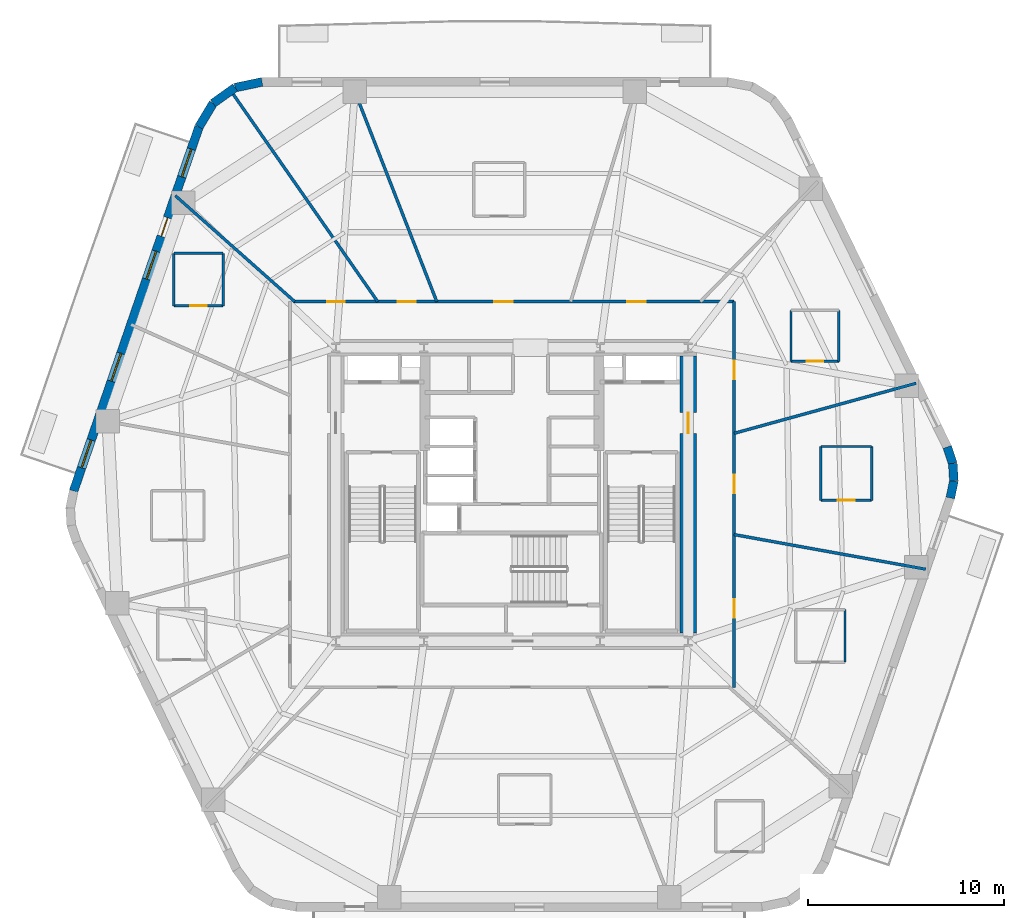
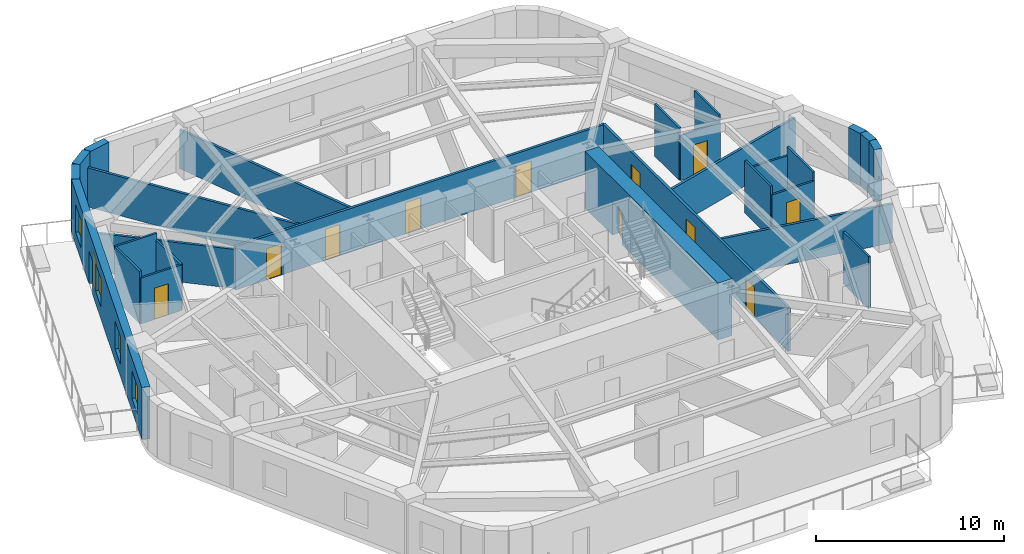
# One storey, part 5 of 8: 27 walls, 12 doors, 4 windows, 16 openings.
"""IFC4 building model written with IfcOpenShell, lengths in metres."""

from ifc_helpers import new_model, si_unit, direction, frame, frame_2d, origin, place, context, subcontext, project, spatial, rectangle, extrude, material, layer, layer_set, type_object, element, fill, save


model = new_model("IFC4")

# Units and contexts
model_context = context("Model", 3, precision=1e-05, world=origin(), true_north=direction((0.0, 1.0)))
body_context = subcontext(model_context, "Body", "Model", "MODEL_VIEW")
ifc_project = project(units=[si_unit("LENGTHUNIT", "METRE"), si_unit("AREAUNIT", "SQUARE_METRE"), si_unit("VOLUMEUNIT", "CUBIC_METRE"), si_unit("PLANEANGLEUNIT", "RADIAN"), si_unit("MASSUNIT", "GRAM", prefix="KILO")], contexts=[model_context])

# Site, building, storey
site_placement = place(None, origin())
site = spatial("IfcSite", under=ifc_project, at=site_placement, CompositionType="ELEMENT")
building_placement = place(site_placement, origin())
building = spatial("IfcBuilding", under=site, at=building_placement, Name="Kilnhurst Terrace Hotel", CompositionType="ELEMENT")
storey_placement = place(building_placement, frame((0.0, 0.0, 132.10009765625)))
storey = spatial("IfcBuildingStorey", under=building, at=storey_placement, Name="L32", CompositionType="ELEMENT", Elevation=132.10009765625)

# Walls
ifc_material_1 = material(Name="Precast concrete C40/50", Category="concrete")
ifc_layer_1 = layer(ifc_material_1, 0.449951171875, Name="Precast concrete C40/50")
ifc_layer_set_1 = layer_set([ifc_layer_1], Name="Precast concrete C40/50")
wall_type_1 = type_object("IfcWallType", Name="WL-BRK-450", PredefinedType="SOLIDWALL", material=ifc_layer_set_1)
wall_1_placement = place(storey_placement, frame((22.39697265625, -0.17919921875, 0.0), z_axis=(0.0, 0.0, 1.0), x_axis=(0.199313589404, 0.979935759669, 0.0)))
element("IfcWall", 1, at=wall_1_placement, inside=storey, type_object=wall_type_1, Name="L32 Rounded Corner Brick Wall C3.1", PredefinedType="SOLIDWALL", context=body_context, shape_type="SweptSolid", body=[
    extrude(rectangle(XDim=0.8955078125, YDim=0.449951171875, at=frame_2d((0.44775390625, 0.0))), origin(), (0.0, 0.0, 1.0), 3.39990234375),
])
wall_2_placement = place(storey_placement, frame((22.575439453125, 0.6982421875, 0.0), z_axis=(0.0, 0.0, 1.0), x_axis=(-0.060980441946, 0.998138961117, 0.0)))
element("IfcWall", 2, at=wall_2_placement, inside=storey, type_object=wall_type_1, Name="L32 Rounded Corner Brick Wall C3.2", PredefinedType="SOLIDWALL", context=body_context, shape_type="SweptSolid", body=[
    extrude(rectangle(XDim=0.880859375, YDim=0.449951171875, at=frame_2d((0.4404296875, 0.0))), origin(), (0.0, 0.0, 1.0), 3.39990234375),
])
wall_3_placement = place(storey_placement, frame((22.521728515625, 1.577392578125, 0.0), z_axis=(0.0, 0.0, 1.0), x_axis=(-0.317372694837, 0.948300887151, 0.0)))
element("IfcWall", 3, at=wall_3_placement, inside=storey, type_object=wall_type_1, Name="L32 Rounded Corner Brick Wall C3.3", PredefinedType="SOLIDWALL", context=body_context, shape_type="SweptSolid", body=[
    extrude(rectangle(XDim=0.8955078125, YDim=0.449951171875, at=frame_2d((0.44775390625, 0.0))), origin(), (0.0, 0.0, 1.0), 3.39990234375),
])
wall_4_placement = place(storey_placement, frame((-12.7705078125, 21.074951171875, 0.0), z_axis=(0.0, 0.0, 1.0), x_axis=(-0.97874281988, -0.205091424819, 0.0)))
element("IfcWall", 4, at=wall_4_placement, inside=storey, type_object=wall_type_1, Name="L32 Rounded Corner Brick Wall C5.1", PredefinedType="SOLIDWALL", context=body_context, shape_type="SweptSolid", body=[
    extrude(rectangle(XDim=1.40576171875, YDim=0.449951171875, at=frame_2d((0.702880859375, 0.0))), origin(), (0.0, 0.0, 1.0), 3.39990234375),
])
wall_5_placement = place(storey_placement, frame((-14.146484375, 20.78662109375, 0.0), z_axis=(0.0, 0.0, 1.0), x_axis=(-0.814162929117, -0.580636482536, 0.0)))
element("IfcWall", 5, at=wall_5_placement, inside=storey, type_object=wall_type_1, Name="L32 Rounded Corner Brick Wall C5.2", PredefinedType="SOLIDWALL", context=body_context, shape_type="SweptSolid", body=[
    extrude(rectangle(XDim=1.382080078125, YDim=0.449951171875, at=frame_2d((0.69091796875, 0.0))), origin(), (0.0, 0.0, 1.0), 3.39990234375),
])
wall_6_placement = place(storey_placement, frame((-15.271728515625, 19.984130859375, 0.0), z_axis=(0.0, 0.0, 1.0), x_axis=(-0.512579347361, -0.858639862025, 0.0)))
element("IfcWall", 6, at=wall_6_placement, inside=storey, type_object=wall_type_1, Name="L32 Rounded Corner Brick Wall C5.3", PredefinedType="SOLIDWALL", context=body_context, shape_type="SweptSolid", body=[
    extrude(rectangle(XDim=1.406005859375, YDim=0.449951171875, at=frame_2d((0.703125, 0.0))), origin(), (0.0, 0.0, 1.0), 3.39990234375),
])

# Wall, openings, door, windows
wall_7_placement = place(storey_placement, frame((-15.992431640625, 18.77685546875, 0.0), z_axis=(0.0, 0.0, 1.0), x_axis=(-0.325606988926, -0.945505202927, 0.0)))
wall_7 = element("IfcWall", 7, at=wall_7_placement, inside=storey, type_object=wall_type_1, Name="L32 Exterior Brick Facade Wall F5", PredefinedType="SOLIDWALL", context=body_context, shape_type="SweptSolid", body=[
    extrude(rectangle(XDim=19.66943359375, YDim=0.449951171875, at=frame_2d((9.834716796875, 0.0))), origin(), (0.0, 0.0, 1.0), 3.39990234375),
])
opening_1_placement = place(wall_7_placement, frame((4.908935546875, 0.0, 0.0)))
opening_1 = element("IfcOpeningElement", 8, at=opening_1_placement, cuts=wall_7, Name="Opening BD-1000", PredefinedType="OPENING", context=body_context, shape_type="SweptSolid", body=[
    extrude(rectangle(XDim=1.0, YDim=2.14990234375, at=frame_2d((0.5, 1.074951171875))), frame((0.0, 0.23486328125, 0.0), z_axis=(0.0, -1.0, 0.0), x_axis=(1.0, 0.0, 0.0)), (0.0, 0.0, 1.0), 0.469970703125),
])
opening_2_placement = place(wall_7_placement, frame((1.197021484375, 0.0, 0.800048828125)))
opening_2 = element("IfcOpeningElement", 9, at=opening_2_placement, cuts=wall_7, Name="Opening W-02", PredefinedType="OPENING", context=body_context, shape_type="SweptSolid", body=[
    extrude(rectangle(XDim=1.5, YDim=1.800048828125, at=frame_2d((0.75, 0.89990234375))), frame((0.0, 0.23486328125, 0.0), z_axis=(0.0, -1.0, 0.0), x_axis=(1.0, 0.0, 0.0)), (0.0, 0.0, 1.0), 0.469970703125),
])
opening_3_placement = place(wall_7_placement, frame((6.719970703125, 0.0, 0.800048828125)))
opening_3 = element("IfcOpeningElement", 10, at=opening_3_placement, cuts=wall_7, Name="Opening W-02", PredefinedType="OPENING", context=body_context, shape_type="SweptSolid", body=[
    extrude(rectangle(XDim=1.5, YDim=1.800048828125, at=frame_2d((0.75, 0.89990234375))), frame((0.0, 0.23486328125, 0.0), z_axis=(0.0, -1.0, 0.0), x_axis=(1.0, 0.0, 0.0)), (0.0, 0.0, 1.0), 0.469970703125),
])
opening_4_placement = place(wall_7_placement, frame((12.238037109375, 0.0, 0.800048828125)))
opening_4 = element("IfcOpeningElement", 11, at=opening_4_placement, cuts=wall_7, Name="Opening W-02", PredefinedType="OPENING", context=body_context, shape_type="SweptSolid", body=[
    extrude(rectangle(XDim=1.5, YDim=1.800048828125, at=frame_2d((0.75, 0.89990234375))), frame((0.0, 0.23486328125, 0.0), z_axis=(0.0, -1.0, 0.0), x_axis=(1.0, 0.0, 0.0)), (0.0, 0.0, 1.0), 0.469970703125),
])
opening_5_placement = place(wall_7_placement, frame((16.91796875, 0.0, 0.800048828125)))
opening_5 = element("IfcOpeningElement", 12, at=opening_5_placement, cuts=wall_7, Name="Opening W-02", PredefinedType="OPENING", context=body_context, shape_type="SweptSolid", body=[
    extrude(rectangle(XDim=1.5, YDim=1.800048828125, at=frame_2d((0.75, 0.89990234375))), frame((0.0, 0.23486328125, 0.0), z_axis=(0.0, -1.0, 0.0), x_axis=(1.0, 0.0, 0.0)), (0.0, 0.0, 1.0), 0.469970703125),
])
ifc_material_2 = material(Name="Thermally Broken Bronze Aluminium Alloy 6063-T6 and Laminated Glass", Category="aluminium")
door_type_1 = type_object("IfcDoorType", Name="DR-EXT-BAL-1000", OperationType="NOTDEFINED", PredefinedType="DOOR", material=ifc_material_2)
door_1_placement = place(opening_1_placement, origin())
door_1 = element("IfcDoor", 13, at=door_1_placement, inside=storey, type_object=door_type_1, Name="L32 Planted Balcony Door BAL-L2B", OperationType="SINGLE_SWING_LEFT", OverallHeight=2.14990234375, OverallWidth=1.0, PredefinedType="DOOR", context=body_context, shape_type="SweptSolid", body=[
    extrude(rectangle(XDim=1.0, YDim=2.14990234375, at=frame_2d((0.5, 1.074951171875))), frame((0.0, 0.02490234375, 0.0), z_axis=(0.0, -1.0, 0.0), x_axis=(1.0, 0.0, 0.0)), (0.0, 0.0, 1.0), 0.050048828125),
])
fill(opening_1, door_1)
ifc_material_3 = material(Name="Thermally Broken Bronze Aluminium Alloy 6063-T6 and Low-E Glass", Category="aluminium")
window_type = type_object("IfcWindowType", Name="WIN-1500X1800", PartitioningType="SINGLE_PANEL", PredefinedType="WINDOW", material=ifc_material_3)
window_1_placement = place(opening_2_placement, origin())
window_1 = element("IfcWindow", 14, at=window_1_placement, inside=storey, type_object=window_type, Name="L32 Deep-Set Masonry Window F5.1", OverallHeight=1.800048828125, OverallWidth=1.5, PartitioningType="SINGLE_PANEL", PredefinedType="WINDOW", context=body_context, shape_type="SweptSolid", body=[
    extrude(rectangle(XDim=1.5, YDim=1.800048828125, at=frame_2d((0.75, 0.89990234375))), frame((0.0, 0.030029296875, 0.0), z_axis=(0.0, -1.0, 0.0), x_axis=(1.0, 0.0, 0.0)), (0.0, 0.0, 1.0), 0.06005859375),
])
fill(opening_2, window_1)
window_2_placement = place(opening_3_placement, origin())
window_2 = element("IfcWindow", 15, at=window_2_placement, inside=storey, type_object=window_type, Name="L32 Deep-Set Masonry Window F5.2", OverallHeight=1.800048828125, OverallWidth=1.5, PartitioningType="SINGLE_PANEL", PredefinedType="WINDOW", context=body_context, shape_type="SweptSolid", body=[
    extrude(rectangle(XDim=1.5, YDim=1.800048828125, at=frame_2d((0.75, 0.89990234375))), frame((0.0, 0.030029296875, 0.0), z_axis=(0.0, -1.0, 0.0), x_axis=(1.0, 0.0, 0.0)), (0.0, 0.0, 1.0), 0.06005859375),
])
fill(opening_3, window_2)
window_3_placement = place(opening_4_placement, origin())
window_3 = element("IfcWindow", 16, at=window_3_placement, inside=storey, type_object=window_type, Name="L32 Deep-Set Masonry Window F5.3", OverallHeight=1.800048828125, OverallWidth=1.5, PartitioningType="SINGLE_PANEL", PredefinedType="WINDOW", context=body_context, shape_type="SweptSolid", body=[
    extrude(rectangle(XDim=1.5, YDim=1.800048828125, at=frame_2d((0.75, 0.89990234375))), frame((0.0, 0.030029296875, 0.0), z_axis=(0.0, -1.0, 0.0), x_axis=(1.0, 0.0, 0.0)), (0.0, 0.0, 1.0), 0.06005859375),
])
fill(opening_4, window_3)
window_4_placement = place(opening_5_placement, origin())
window_4 = element("IfcWindow", 17, at=window_4_placement, inside=storey, type_object=window_type, Name="L32 Deep-Set Masonry Window F5.4", OverallHeight=1.800048828125, OverallWidth=1.5, PartitioningType="SINGLE_PANEL", PredefinedType="WINDOW", context=body_context, shape_type="SweptSolid", body=[
    extrude(rectangle(XDim=1.5, YDim=1.800048828125, at=frame_2d((0.75, 0.89990234375))), frame((0.0, 0.030029296875, 0.0), z_axis=(0.0, -1.0, 0.0), x_axis=(1.0, 0.0, 0.0)), (0.0, 0.0, 1.0), 0.06005859375),
])
fill(opening_5, window_4)

# Wall, openings, doors
ifc_material_4 = material(Name="Acoustic Double-Gypsum Corridor Partition Assembly")
ifc_layer_2 = layer(ifc_material_4, 0.14990234375, Name="Acoustic Double-Gypsum Corridor Partition Assembly")
ifc_layer_set_2 = layer_set([ifc_layer_2], Name="Acoustic Double-Gypsum Corridor Partition Assembly")
wall_type_2 = type_object("IfcWallType", Name="WL-COR-150", PredefinedType="PARTITIONING", material=ifc_layer_set_2)
wall_8_placement = place(storey_placement, frame((-11.35009765625, 9.85009765625, 0.0), z_axis=(0.0, 0.0, 1.0), x_axis=(1.0, 0.0, 0.0)))
wall_8 = element("IfcWall", 18, at=wall_8_placement, inside=storey, type_object=wall_type_2, Name="L32 Interior Wall WL-L32-COR-02", PredefinedType="PARTITIONING", context=body_context, shape_type="SweptSolid", body=[
    extrude(rectangle(XDim=22.7001953125, YDim=0.14990234375, at=frame_2d((11.35009765625, 0.0))), origin(), (0.0, 0.0, 1.0), 2.83984375),
])
opening_6_placement = place(wall_8_placement, frame((17.237060546875, 0.0, 0.0)))
opening_6 = element("IfcOpeningElement", 19, at=opening_6_placement, cuts=wall_8, Name="Opening D-60B", PredefinedType="OPENING", context=body_context, shape_type="SweptSolid", body=[
    extrude(rectangle(XDim=0.949951171875, YDim=2.030029296875, at=frame_2d((0.47509765625, 1.01513671875))), frame((0.0, 0.0849609375, 0.0), z_axis=(0.0, -1.0, 0.0), x_axis=(1.0, 0.0, 0.0)), (0.0, 0.0, 1.0), 0.169921875),
])
opening_7_placement = place(wall_8_placement, frame((10.449951171875, 0.0, 0.0)))
opening_7 = element("IfcOpeningElement", 20, at=opening_7_placement, cuts=wall_8, Name="Opening D-60B", PredefinedType="OPENING", context=body_context, shape_type="SweptSolid", body=[
    extrude(rectangle(XDim=0.949951171875, YDim=2.030029296875, at=frame_2d((0.47509765625, 1.01513671875))), frame((0.0, 0.0849609375, 0.0), z_axis=(0.0, -1.0, 0.0), x_axis=(1.0, 0.0, 0.0)), (0.0, 0.0, 1.0), 0.169921875),
])
opening_8_placement = place(wall_8_placement, frame((5.52197265625, 0.0, 0.0)))
opening_8 = element("IfcOpeningElement", 21, at=opening_8_placement, cuts=wall_8, Name="Opening D-60C", PredefinedType="OPENING", context=body_context, shape_type="SweptSolid", body=[
    extrude(rectangle(XDim=0.89990234375, YDim=2.030029296875, at=frame_2d((0.449951171875, 1.01513671875))), frame((0.0, 0.0849609375, 0.0), z_axis=(0.0, -1.0, 0.0), x_axis=(1.0, 0.0, 0.0)), (0.0, 0.0, 1.0), 0.169921875),
])
opening_9_placement = place(wall_8_placement, frame((1.9140625, 0.0, 0.0)))
opening_9 = element("IfcOpeningElement", 22, at=opening_9_placement, cuts=wall_8, Name="Opening D-60C", PredefinedType="OPENING", context=body_context, shape_type="SweptSolid", body=[
    extrude(rectangle(XDim=0.89990234375, YDim=2.030029296875, at=frame_2d((0.449951171875, 1.01513671875))), frame((0.0, 0.0849609375, 0.0), z_axis=(0.0, -1.0, 0.0), x_axis=(1.0, 0.0, 0.0)), (0.0, 0.0, 1.0), 0.169921875),
])
ifc_material_5 = material(Name="Painted Solid-Core Service Fire Door")
door_type_2 = type_object("IfcDoorType", Name="DR-FD60-900", OperationType="NOTDEFINED", PredefinedType="DOOR", material=ifc_material_5)
door_2_placement = place(opening_8_placement, origin())
door_2 = element("IfcDoor", 23, at=door_2_placement, inside=storey, type_object=door_type_2, Name="L32 Executive Work Office Door 4", OperationType="SINGLE_SWING_RIGHT", OverallHeight=2.030029296875, OverallWidth=0.89990234375, PredefinedType="DOOR", context=body_context, shape_type="SweptSolid", body=[
    extrude(rectangle(XDim=0.89990234375, YDim=2.030029296875, at=frame_2d((0.449951171875, 1.01513671875))), frame((0.0, 0.02490234375, 0.0), z_axis=(0.0, -1.0, 0.0), x_axis=(1.0, 0.0, 0.0)), (0.0, 0.0, 1.0), 0.050048828125),
])
fill(opening_8, door_2)
door_3_placement = place(opening_9_placement, origin())
door_3 = element("IfcDoor", 24, at=door_3_placement, inside=storey, type_object=door_type_2, Name="L32 Executive Work Office Door 5", OperationType="SINGLE_SWING_LEFT", OverallHeight=2.030029296875, OverallWidth=0.89990234375, PredefinedType="DOOR", context=body_context, shape_type="SweptSolid", body=[
    extrude(rectangle(XDim=0.89990234375, YDim=2.030029296875, at=frame_2d((0.449951171875, 1.01513671875))), frame((0.0, 0.02490234375, 0.0), z_axis=(0.0, -1.0, 0.0), x_axis=(1.0, 0.0, 0.0)), (0.0, 0.0, 1.0), 0.050048828125),
])
fill(opening_9, door_3)
ifc_material_6 = material(Name="Acoustic Walnut Veneer Solid-Core Fire Door")
door_type_3 = type_object("IfcDoorType", Name="DR-FD60-950", OperationType="NOTDEFINED", PredefinedType="DOOR", material=ifc_material_6)
door_4_placement = place(opening_6_placement, origin())
door_4 = element("IfcDoor", 25, at=door_4_placement, inside=storey, type_object=door_type_3, Name="L32 Club Cocktail Lounge Door", OperationType="SINGLE_SWING_RIGHT", OverallHeight=2.030029296875, OverallWidth=0.949951171875, PredefinedType="DOOR", context=body_context, shape_type="SweptSolid", body=[
    extrude(rectangle(XDim=0.949951171875, YDim=2.030029296875, at=frame_2d((0.47509765625, 1.01513671875))), frame((0.0, 0.02490234375, 0.0), z_axis=(0.0, -1.0, 0.0), x_axis=(1.0, 0.0, 0.0)), (0.0, 0.0, 1.0), 0.050048828125),
])
fill(opening_6, door_4)
door_5_placement = place(opening_7_placement, origin())
door_5 = element("IfcDoor", 26, at=door_5_placement, inside=storey, type_object=door_type_3, Name="L32 Executive Suite Entry Door 3", OperationType="SINGLE_SWING_LEFT", OverallHeight=2.030029296875, OverallWidth=0.949951171875, PredefinedType="DOOR", context=body_context, shape_type="SweptSolid", body=[
    extrude(rectangle(XDim=0.949951171875, YDim=2.030029296875, at=frame_2d((0.47509765625, 1.01513671875))), frame((0.0, 0.02490234375, 0.0), z_axis=(0.0, -1.0, 0.0), x_axis=(1.0, 0.0, 0.0)), (0.0, 0.0, 1.0), 0.050048828125),
])
fill(opening_7, door_5)

wall_9_placement = place(storey_placement, frame((11.35009765625, 9.85009765625, 0.0), z_axis=(0.0, 0.0, 1.0), x_axis=(0.0, -1.0, 0.0)))
wall_9 = element("IfcWall", 27, at=wall_9_placement, inside=storey, type_object=wall_type_2, Name="L32 Interior Wall WL-L32-COR-03", PredefinedType="PARTITIONING", context=body_context, shape_type="SweptSolid", body=[
    extrude(rectangle(XDim=19.7001953125, YDim=0.14990234375, at=frame_2d((9.85009765625, 0.0))), origin(), (0.0, 0.0, 1.0), 2.83984375),
])
opening_10_placement = place(wall_9_placement, frame((3.008056640625, 0.0, 0.0)))
opening_10 = element("IfcOpeningElement", 28, at=opening_10_placement, cuts=wall_9, Name="Opening D-60B", PredefinedType="OPENING", context=body_context, shape_type="SweptSolid", body=[
    extrude(rectangle(XDim=0.949951171875, YDim=2.030029296875, at=frame_2d((0.47509765625, 1.01513671875))), frame((0.0, 0.0849609375, 0.0), z_axis=(0.0, -1.0, 0.0), x_axis=(1.0, 0.0, 0.0)), (0.0, 0.0, 1.0), 0.169921875),
])
opening_11_placement = place(wall_9_placement, frame((15.205078125, 0.0, 0.0)))
opening_11 = element("IfcOpeningElement", 29, at=opening_11_placement, cuts=wall_9, Name="Opening D-60B", PredefinedType="OPENING", context=body_context, shape_type="SweptSolid", body=[
    extrude(rectangle(XDim=0.949951171875, YDim=2.030029296875, at=frame_2d((0.47509765625, 1.01513671875))), frame((0.0, 0.0849609375, 0.0), z_axis=(0.0, -1.0, 0.0), x_axis=(1.0, 0.0, 0.0)), (0.0, 0.0, 1.0), 0.169921875),
])
opening_12_placement = place(wall_9_placement, frame((8.8359375, 0.0, 0.0)))
opening_12 = element("IfcOpeningElement", 30, at=opening_12_placement, cuts=wall_9, Name="Opening D-60B", PredefinedType="OPENING", context=body_context, shape_type="SweptSolid", body=[
    extrude(rectangle(XDim=0.949951171875, YDim=2.030029296875, at=frame_2d((0.47509765625, 1.01513671875))), frame((0.0, 0.0849609375, 0.0), z_axis=(0.0, -1.0, 0.0), x_axis=(1.0, 0.0, 0.0)), (0.0, 0.0, 1.0), 0.169921875),
])
door_6_placement = place(opening_10_placement, origin())
door_6 = element("IfcDoor", 31, at=door_6_placement, inside=storey, type_object=door_type_3, Name="L32 Executive Suite Entry Door 1", OperationType="SINGLE_SWING_LEFT", OverallHeight=2.030029296875, OverallWidth=0.949951171875, PredefinedType="DOOR", context=body_context, shape_type="SweptSolid", body=[
    extrude(rectangle(XDim=0.949951171875, YDim=2.030029296875, at=frame_2d((0.47509765625, 1.01513671875))), frame((0.0, 0.02490234375, 0.0), z_axis=(0.0, -1.0, 0.0), x_axis=(1.0, 0.0, 0.0)), (0.0, 0.0, 1.0), 0.050048828125),
])
fill(opening_10, door_6)
door_7_placement = place(opening_11_placement, origin())
door_7 = element("IfcDoor", 32, at=door_7_placement, inside=storey, type_object=door_type_3, Name="L32 Executive Suite Entry Door 14", OperationType="SINGLE_SWING_RIGHT", OverallHeight=2.030029296875, OverallWidth=0.949951171875, PredefinedType="DOOR", context=body_context, shape_type="SweptSolid", body=[
    extrude(rectangle(XDim=0.949951171875, YDim=2.030029296875, at=frame_2d((0.47509765625, 1.01513671875))), frame((0.0, 0.02490234375, 0.0), z_axis=(0.0, -1.0, 0.0), x_axis=(1.0, 0.0, 0.0)), (0.0, 0.0, 1.0), 0.050048828125),
])
fill(opening_11, door_7)
door_8_placement = place(opening_12_placement, origin())
door_8 = element("IfcDoor", 33, at=door_8_placement, inside=storey, type_object=door_type_3, Name="L32 Executive Suite Entry Door 15", OperationType="SINGLE_SWING_LEFT", OverallHeight=2.030029296875, OverallWidth=0.949951171875, PredefinedType="DOOR", context=body_context, shape_type="SweptSolid", body=[
    extrude(rectangle(XDim=0.949951171875, YDim=2.030029296875, at=frame_2d((0.47509765625, 1.01513671875))), frame((0.0, 0.02490234375, 0.0), z_axis=(0.0, -1.0, 0.0), x_axis=(1.0, 0.0, 0.0)), (0.0, 0.0, 1.0), 0.050048828125),
])
fill(opening_12, door_8)

# Wall, opening, door
ifc_material_7 = material(Name="Concrete C80/95", Category="concrete")
ifc_layer_3 = layer(ifc_material_7, 0.85009765625, Name="Concrete C80/95")
ifc_layer_set_3 = layer_set([ifc_layer_3], Name="Concrete C80/95")
wall_type_3 = type_object("IfcWallType", Name="WL-CORE-850", PredefinedType="SHEAR", material=ifc_layer_set_3)
wall_10_placement = place(storey_placement, frame((9.0, -7.074951171875, 0.0), z_axis=(0.0, 0.0, 1.0), x_axis=(0.0, 1.0, 0.0)))
wall_10 = element("IfcWall", 34, at=wall_10_placement, inside=storey, type_object=wall_type_3, Name="L32 Core East Shear Wall", PredefinedType="SHEAR", context=body_context, shape_type="SweptSolid", body=[
    extrude(rectangle(XDim=14.14990234375, YDim=0.85009765625, at=frame_2d((7.074951171875, 0.0))), origin(), (0.0, 0.0, 1.0), 3.699951171875),
])
opening_13_placement = place(wall_10_placement, frame((10.199951171875, 0.0, 0.0)))
opening_13 = element("IfcOpeningElement", 35, at=opening_13_placement, cuts=wall_10, Name="Opening D-90A", PredefinedType="OPENING", context=body_context, shape_type="SweptSolid", body=[
    extrude(rectangle(XDim=1.050048828125, YDim=2.14990234375, at=frame_2d((0.52490234375, 1.074951171875))), frame((0.0, 0.43505859375, 0.0), z_axis=(0.0, -1.0, 0.0), x_axis=(1.0, 0.0, 0.0)), (0.0, 0.0, 1.0), 0.8701171875),
])
ifc_material_8 = material(Name="Painted Hollow Metal Steel ASTM A36 Fire Door", Category="steel")
door_type_4 = type_object("IfcDoorType", Name="DR-FD90-1050", OperationType="NOTDEFINED", PredefinedType="DOOR", material=ifc_material_8)
door_9_placement = place(opening_13_placement, origin())
door_9 = element("IfcDoor", 36, at=door_9_placement, inside=storey, type_object=door_type_4, Name="L32 East Firefighting Lobby Door", OperationType="SINGLE_SWING_LEFT", OverallHeight=2.14990234375, OverallWidth=1.050048828125, PredefinedType="DOOR", context=body_context, shape_type="SweptSolid", body=[
    extrude(rectangle(XDim=1.050048828125, YDim=2.14990234375, at=frame_2d((0.52490234375, 1.074951171875))), frame((0.0, 0.02490234375, 0.0), z_axis=(0.0, -1.0, 0.0), x_axis=(1.0, 0.0, 0.0)), (0.0, 0.0, 1.0), 0.050048828125),
])
fill(opening_13, door_9)

# Walls
ifc_material_9 = material(Name="STC-58 Acoustic Twin-Frame Guestroom Demising Partition")
ifc_layer_4 = layer(ifc_material_9, 0.14990234375, Name="STC-58 Acoustic Twin-Frame Guestroom Demising Partition")
ifc_layer_set_4 = layer_set([ifc_layer_4], Name="STC-58 Acoustic Twin-Frame Guestroom Demising Partition")
wall_type_4 = type_object("IfcWallType", Name="WL-DEM-150", PredefinedType="PARTITIONING", material=ifc_layer_set_4)
wall_11_placement = place(storey_placement, frame((11.35009765625, 3.123291015625, 0.0), z_axis=(0.0, 0.0, 1.0), x_axis=(0.964151983214, 0.265350623261, 0.0)))
element("IfcWall", 37, at=wall_11_placement, inside=storey, type_object=wall_type_4, Name="L32 Interior Wall WL-L32-DEM-COL01-01-1", PredefinedType="PARTITIONING", context=body_context, shape_type="SweptSolid", body=[
    extrude(rectangle(XDim=9.64501953125, YDim=0.14990234375, at=frame_2d((4.822509765625, 0.0))), origin(), (0.0, 0.0, 1.0), 2.539794921875),
])
wall_12_placement = place(storey_placement, frame((-3.84228515625, 9.85009765625, 0.0), z_axis=(0.0, 0.0, 1.0), x_axis=(-0.363432685593, 0.931620460833, 0.0)))
element("IfcWall", 38, at=wall_12_placement, inside=storey, type_object=wall_type_4, Name="L32 Interior Wall WL-L32-DEM-COL04-04-1", PredefinedType="PARTITIONING", context=body_context, shape_type="SweptSolid", body=[
    extrude(rectangle(XDim=12.048828125, YDim=0.14990234375, at=frame_2d((6.0244140625, 0.0))), origin(), (0.0, 0.0, 1.0), 2.539794921875),
])
wall_13_placement = place(storey_placement, frame((-6.861083984375, 9.85009765625, 0.0), z_axis=(0.0, 0.0, 1.0), x_axis=(-0.571575431292, 0.820549527051, 0.0)))
element("IfcWall", 39, at=wall_13_placement, inside=storey, type_object=wall_type_4, Name="L32 Interior Wall WL-L32-DEM-MID04-05-1", PredefinedType="PARTITIONING", context=body_context, shape_type="SweptSolid", body=[
    extrude(rectangle(XDim=12.97509765625, YDim=0.14990234375, at=frame_2d((6.487548828125, 0.0))), origin(), (0.0, 0.0, 1.0), 2.539794921875),
])
wall_14_placement = place(storey_placement, frame((-11.097900390625, 9.85009765625, 0.0), z_axis=(0.0, 0.0, 1.0), x_axis=(-0.747904295103, 0.663806572253, 0.0)))
element("IfcWall", 40, at=wall_14_placement, inside=storey, type_object=wall_type_4, Name="L32 Interior Wall WL-L32-DEM-COL05-06-1", PredefinedType="PARTITIONING", context=body_context, shape_type="SweptSolid", body=[
    extrude(rectangle(XDim=8.160400390625, YDim=0.14990234375, at=frame_2d((4.080078125, 0.0))), origin(), (0.0, 0.0, 1.0), 2.539794921875),
])
wall_15_placement = place(storey_placement, frame((11.35009765625, -2.05078125, 0.0), z_axis=(0.0, 0.0, 1.0), x_axis=(0.984068313063, -0.177790762484, 0.0)))
element("IfcWall", 41, at=wall_15_placement, inside=storey, type_object=wall_type_4, Name="L32 Interior Wall WL-L32-DEM-COL12-15-1", PredefinedType="PARTITIONING", context=body_context, shape_type="SweptSolid", body=[
    extrude(rectangle(XDim=9.951416015625, YDim=0.14990234375, at=frame_2d((4.9755859375, 0.0))), origin(), (0.0, 0.0, 1.0), 2.539794921875),
])

# Wall, opening, door
ifc_material_10 = material(Name="120 mm Moisture-Resistant Tile-Backed Bathroom Partition")
ifc_layer_5 = layer(ifc_material_10, 0.1201171875, Name="120 mm Moisture-Resistant Tile-Backed Bathroom Partition")
ifc_layer_set_5 = layer_set([ifc_layer_5], Name="120 mm Moisture-Resistant Tile-Backed Bathroom Partition")
wall_type_5 = type_object("IfcWallType", Name="WL-PART-120", PredefinedType="PARTITIONING", material=ifc_layer_set_5)
wall_16_placement = place(storey_placement, frame((14.2548828125, 6.800048828125, 0.0), z_axis=(0.0, 0.0, 1.0), x_axis=(1.0, 0.0, 0.0)))
wall_16 = element("IfcWall", 42, at=wall_16_placement, inside=storey, type_object=wall_type_5, Name="L32 Interior Wall WL-L32-BTH-01-1", PredefinedType="PARTITIONING", context=body_context, shape_type="SweptSolid", body=[
    extrude(rectangle(XDim=2.440185546875, YDim=0.1201171875, at=frame_2d((1.22021484375, 0.0))), origin(), (0.0, 0.0, 1.0), 2.926513671875),
])
opening_14_placement = place(wall_16_placement, frame((0.794921875, 0.0, 0.0)))
opening_14 = element("IfcOpeningElement", 43, at=opening_14_placement, cuts=wall_16, Name="Opening D-08A", PredefinedType="OPENING", context=body_context, shape_type="SweptSolid", body=[
    extrude(rectangle(XDim=0.85009765625, YDim=2.030029296875, at=frame_2d((0.425048828125, 1.01513671875))), frame((0.0, 0.070068359375, 0.0), z_axis=(0.0, -1.0, 0.0), x_axis=(1.0, 0.0, 0.0)), (0.0, 0.0, 1.0), 0.14013671875),
])
ifc_material_11 = material(Name="Moisture-Resistant Lacquered En-suite Bathroom Door")
door_type_5 = type_object("IfcDoorType", Name="DR-INT-850", OperationType="NOTDEFINED", PredefinedType="DOOR", material=ifc_material_11)
door_10_placement = place(opening_14_placement, origin())
door_10 = element("IfcDoor", 44, at=door_10_placement, inside=storey, type_object=door_type_5, Name="L32 En-suite Bathroom Door 1", OperationType="SINGLE_SWING_RIGHT", OverallHeight=2.030029296875, OverallWidth=0.85009765625, PredefinedType="DOOR", context=body_context, shape_type="SweptSolid", body=[
    extrude(rectangle(XDim=0.85009765625, YDim=2.030029296875, at=frame_2d((0.425048828125, 1.01513671875))), frame((0.0, 0.02490234375, 0.0), z_axis=(0.0, -1.0, 0.0), x_axis=(1.0, 0.0, 0.0)), (0.0, 0.0, 1.0), 0.050048828125),
])
fill(opening_14, door_10)

# Walls
for number, where, z_axis, x_axis, name in (
    (45, (16.695068359375, 6.800048828125, 0.0), (0.0, 0.0, 1.0), (0.0, 1.0, 0.0), "L32 Interior Wall WL-L32-BTH-01-2"),
    (46, (14.2548828125, 9.409912109375, 0.0), (0.0, 0.0, 1.0), (0.0, -1.0, 0.0), "L32 Interior Wall WL-L32-BTH-01-4"),
):
    element("IfcWall", number, at=place(storey_placement, frame(where, z_axis=z_axis, x_axis=x_axis)), inside=storey, type_object=wall_type_5, Name=name, PredefinedType="PARTITIONING", context=body_context, shape_type="SweptSolid", body=[
        extrude(rectangle(XDim=2.60986328125, YDim=0.1201171875, at=frame_2d((1.304931640625, 0.0))), origin(), (0.0, 0.0, 1.0), 3.39990234375),
    ])

# Wall, opening, door
wall_17_placement = place(storey_placement, frame((-17.27392578125, 9.639892578125, 0.0), z_axis=(0.0, 0.0, 1.0), x_axis=(1.0, 0.0, 0.0)))
wall_17 = element("IfcWall", 47, at=wall_17_placement, inside=storey, type_object=wall_type_5, Name="L32 Interior Wall WL-L32-BTH-06-1", PredefinedType="PARTITIONING", context=body_context, shape_type="SweptSolid", body=[
    extrude(rectangle(XDim=2.52001953125, YDim=0.1201171875, at=frame_2d((1.260009765625, 0.0))), origin(), (0.0, 0.0, 1.0), 2.972412109375),
])
opening_15_placement = place(wall_17_placement, frame((0.8349609375, 0.0, 0.0)))
opening_15 = element("IfcOpeningElement", 48, at=opening_15_placement, cuts=wall_17, Name="Opening D-08A", PredefinedType="OPENING", context=body_context, shape_type="SweptSolid", body=[
    extrude(rectangle(XDim=0.85009765625, YDim=2.030029296875, at=frame_2d((0.425048828125, 1.01513671875))), frame((0.0, 0.070068359375, 0.0), z_axis=(0.0, -1.0, 0.0), x_axis=(1.0, 0.0, 0.0)), (0.0, 0.0, 1.0), 0.14013671875),
])
door_11_placement = place(opening_15_placement, origin())
door_11 = element("IfcDoor", 49, at=door_11_placement, inside=storey, type_object=door_type_5, Name="L32 En-suite Bathroom Door 6", OperationType="SINGLE_SWING_LEFT", OverallHeight=2.030029296875, OverallWidth=0.85009765625, PredefinedType="DOOR", context=body_context, shape_type="SweptSolid", body=[
    extrude(rectangle(XDim=0.85009765625, YDim=2.030029296875, at=frame_2d((0.425048828125, 1.01513671875))), frame((0.0, 0.02490234375, 0.0), z_axis=(0.0, -1.0, 0.0), x_axis=(1.0, 0.0, 0.0)), (0.0, 0.0, 1.0), 0.050048828125),
])
fill(opening_15, door_11)

# Walls
wall_18_placement = place(storey_placement, frame((-14.75390625, 9.639892578125, 0.0), z_axis=(0.0, 0.0, 1.0), x_axis=(0.0, 1.0, 0.0)))
element("IfcWall", 50, at=wall_18_placement, inside=storey, type_object=wall_type_5, Name="L32 Interior Wall WL-L32-BTH-06-2", PredefinedType="PARTITIONING", context=body_context, shape_type="SweptSolid", body=[
    extrude(rectangle(XDim=2.68017578125, YDim=0.1201171875, at=frame_2d((1.340087890625, 0.0))), origin(), (0.0, 0.0, 1.0), 2.972412109375),
])
wall_19_placement = place(storey_placement, frame((-14.75390625, 12.320068359375, 0.0), z_axis=(0.0, 0.0, 1.0), x_axis=(-1.0, 0.0, 0.0)))
element("IfcWall", 51, at=wall_19_placement, inside=storey, type_object=wall_type_5, Name="L32 Interior Wall WL-L32-BTH-06-3", PredefinedType="PARTITIONING", context=body_context, shape_type="SweptSolid", body=[
    extrude(rectangle(XDim=2.52001953125, YDim=0.1201171875, at=frame_2d((1.260009765625, 0.0))), origin(), (0.0, 0.0, 1.0), 3.39990234375),
])
for number, where, z_axis, x_axis, name in (
    (52, (-17.27392578125, 12.320068359375, 0.0), (0.0, 0.0, 1.0), (0.0, -1.0, 0.0), "L32 Interior Wall WL-L32-BTH-06-4"),
    (53, (17.013916015625, -8.570068359375, 0.0), (0.0, 0.0, 1.0), (0.0, 1.0, 0.0), "L32 Interior Wall WL-L32-BTH-14-2"),
):
    element("IfcWall", number, at=place(storey_placement, frame(where, z_axis=z_axis, x_axis=x_axis)), inside=storey, type_object=wall_type_5, Name=name, PredefinedType="PARTITIONING", context=body_context, shape_type="SweptSolid", body=[
        extrude(rectangle(XDim=2.68017578125, YDim=0.1201171875, at=frame_2d((1.340087890625, 0.0))), origin(), (0.0, 0.0, 1.0), 3.39990234375),
    ])

# Wall, opening, door
wall_20_placement = place(storey_placement, frame((15.77490234375, -0.301025390625, 0.0), z_axis=(0.0, 0.0, 1.0), x_axis=(1.0, 0.0, 0.0)))
wall_20 = element("IfcWall", 54, at=wall_20_placement, inside=storey, type_object=wall_type_5, Name="L32 Interior Wall WL-L32-BTH-15-1", PredefinedType="PARTITIONING", context=body_context, shape_type="SweptSolid", body=[
    extrude(rectangle(XDim=2.60009765625, YDim=0.1201171875, at=frame_2d((1.300048828125, 0.0))), origin(), (0.0, 0.0, 1.0), 2.84033203125),
])
opening_16_placement = place(wall_20_placement, frame((0.875, 0.0, 0.0)))
opening_16 = element("IfcOpeningElement", 55, at=opening_16_placement, cuts=wall_20, Name="Opening D-08A", PredefinedType="OPENING", context=body_context, shape_type="SweptSolid", body=[
    extrude(rectangle(XDim=0.85009765625, YDim=2.030029296875, at=frame_2d((0.425048828125, 1.01513671875))), frame((0.0, 0.070068359375, 0.0), z_axis=(0.0, -1.0, 0.0), x_axis=(1.0, 0.0, 0.0)), (0.0, 0.0, 1.0), 0.14013671875),
])
door_12_placement = place(opening_16_placement, origin())
door_12 = element("IfcDoor", 56, at=door_12_placement, inside=storey, type_object=door_type_5, Name="L32 En-suite Bathroom Door 15", OperationType="SINGLE_SWING_RIGHT", OverallHeight=2.030029296875, OverallWidth=0.85009765625, PredefinedType="DOOR", context=body_context, shape_type="SweptSolid", body=[
    extrude(rectangle(XDim=0.85009765625, YDim=2.030029296875, at=frame_2d((0.425048828125, 1.01513671875))), frame((0.0, 0.02490234375, 0.0), z_axis=(0.0, -1.0, 0.0), x_axis=(1.0, 0.0, 0.0)), (0.0, 0.0, 1.0), 0.050048828125),
])
fill(opening_16, door_12)

# Walls
wall_21_placement = place(storey_placement, frame((18.375, -0.301025390625, 0.0), z_axis=(0.0, 0.0, 1.0), x_axis=(0.0, 1.0, 0.0)))
element("IfcWall", 57, at=wall_21_placement, inside=storey, type_object=wall_type_5, Name="L32 Interior Wall WL-L32-BTH-15-2", PredefinedType="PARTITIONING", context=body_context, shape_type="SweptSolid", body=[
    extrude(rectangle(XDim=2.75, YDim=0.1201171875, at=frame_2d((1.375, 0.0))), origin(), (0.0, 0.0, 1.0), 3.39990234375),
])
wall_22_placement = place(storey_placement, frame((18.375, 2.448974609375, 0.0), z_axis=(0.0, 0.0, 1.0), x_axis=(-1.0, 0.0, 0.0)))
element("IfcWall", 58, at=wall_22_placement, inside=storey, type_object=wall_type_5, Name="L32 Interior Wall WL-L32-BTH-15-3", PredefinedType="PARTITIONING", context=body_context, shape_type="SweptSolid", body=[
    extrude(rectangle(XDim=2.60009765625, YDim=0.1201171875, at=frame_2d((1.300048828125, 0.0))), origin(), (0.0, 0.0, 1.0), 2.84033203125),
])
wall_23_placement = place(storey_placement, frame((15.77490234375, 2.448974609375, 0.0), z_axis=(0.0, 0.0, 1.0), x_axis=(0.0, -1.0, 0.0)))
element("IfcWall", 59, at=wall_23_placement, inside=storey, type_object=wall_type_5, Name="L32 Interior Wall WL-L32-BTH-15-4", PredefinedType="PARTITIONING", context=body_context, shape_type="SweptSolid", body=[
    extrude(rectangle(XDim=2.75, YDim=0.1201171875, at=frame_2d((1.375, 0.0))), origin(), (0.0, 0.0, 1.0), 3.39990234375),
])

save(model, "model.ifc")
